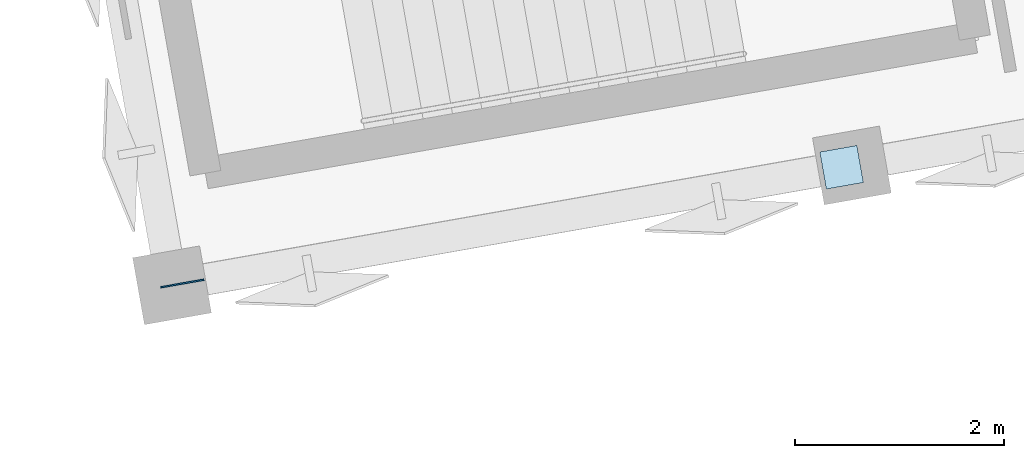
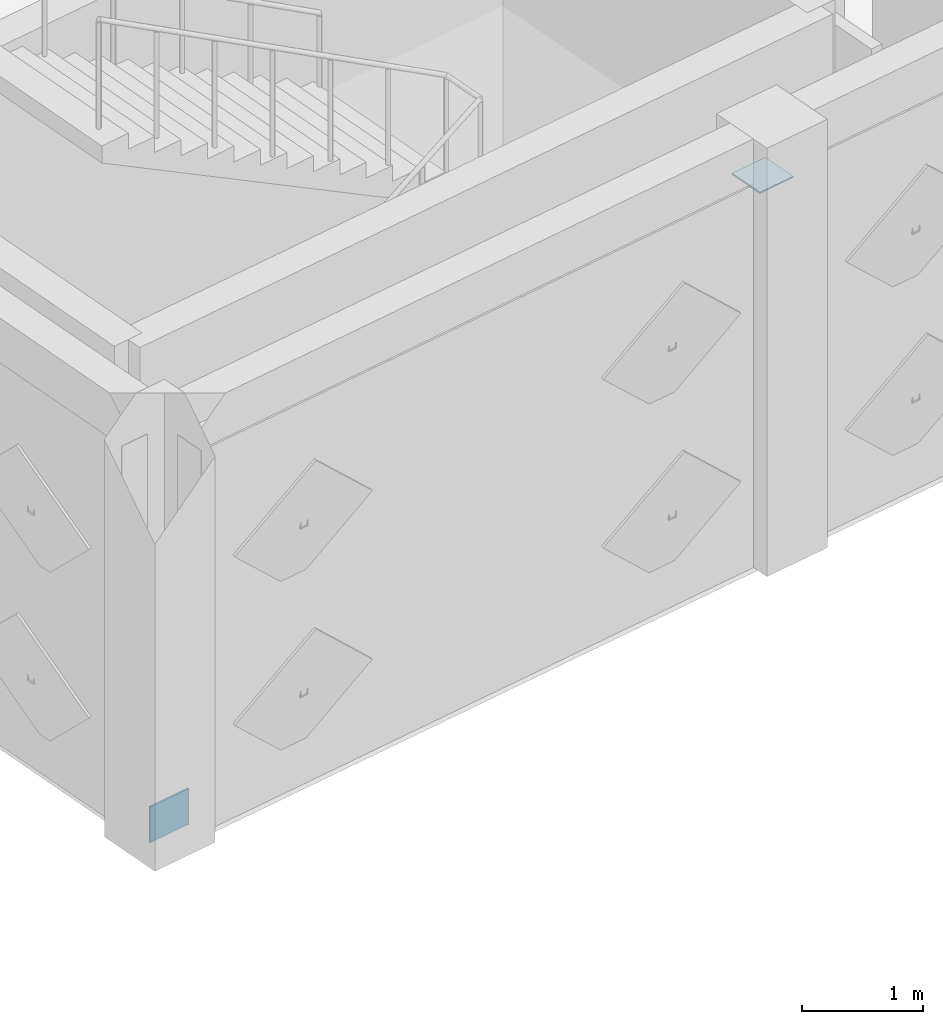
# One storey, part 23 of 39: 2 plates.
"""IFC4 building model written with IfcOpenShell, lengths in metres."""

from ifc_helpers import new_model, si_unit, direction, frame, origin, origin_2d, place, context, subcontext, project, spatial, rectangle, extrude, material, layer, layer_set, type_object, element, save


model = new_model("IFC4")

# Units and contexts
model_context = context("Model", 3, precision=1e-05, world=origin(), true_north=direction((0.0, 1.0)))
body_context = subcontext(model_context, "Body", "Model", "MODEL_VIEW")
ifc_project = project(units=[si_unit("LENGTHUNIT", "METRE"), si_unit("AREAUNIT", "SQUARE_METRE"), si_unit("VOLUMEUNIT", "CUBIC_METRE"), si_unit("PLANEANGLEUNIT", "RADIAN"), si_unit("MASSUNIT", "GRAM", prefix="KILO")], contexts=[model_context])

# Site, building, storey
site_placement = place(None, origin())
site = spatial("IfcSite", under=ifc_project, at=site_placement, CompositionType="ELEMENT")
building_placement = place(site_placement, origin())
building = spatial("IfcBuilding", under=site, at=building_placement, Name="Kharisveld Research Institute", CompositionType="ELEMENT")
storey_placement = place(building_placement, frame((0.0, 0.0, 18.60009765625)))
storey = spatial("IfcBuildingStorey", under=building, at=storey_placement, Name="L04", CompositionType="ELEMENT", Elevation=18.60009765625)

# Plates
ifc_material_1 = material(Name="Steel S355JR", Category="steel")
ifc_layer_1 = layer(ifc_material_1, 0.013916015625)
ifc_layer_set_1 = layer_set([ifc_layer_1], Name="PL_CAP_A")
plate_type_1 = type_object("IfcPlateType", Name="PL_CAP_A", PredefinedType="SHEET", material=ifc_layer_set_1)
plate_1_placement = place(storey_placement, frame((11.601318359375, 36.138671875, 3.76318359375), z_axis=(0.0, 0.0, 1.0), x_axis=(0.984807753012, 0.173648177667, 0.0)))
element("IfcPlate", 1, at=plate_1_placement, inside=storey, type_object=plate_type_1, Name="PLT:V1:L04:CAP_0_0", PredefinedType="SHEET", context=body_context, shape_type="SweptSolid", body=[
    extrude(rectangle(XDim=0.360107421875, YDim=0.360107421875, at=origin_2d()), origin(), (0.0, 0.0, 1.0), 0.013916015625),
])
ifc_material_2 = material(Name="Steel S355JR", Category="steel")
ifc_layer_2 = layer(ifc_material_2, 0.01611328125)
ifc_layer_set_2 = layer_set([ifc_layer_2], Name="PL_GUS_A")
plate_type_2 = type_object("IfcPlateType", Name="PL_GUS_A", PredefinedType="USERDEFINED", material=ifc_layer_set_2)
plate_2_placement = place(storey_placement, frame((5.298583984375, 35.02734375, 0.02001953125), z_axis=(0.0, 0.0, 1.0), x_axis=(0.984807753012, 0.173648177667, 0.0)))
element("IfcPlate", 2, at=plate_2_placement, inside=storey, type_object=plate_type_2, Name="PLT:V1:L04:GUS_0_0", ObjectType="GUSSET PLATE", PredefinedType="USERDEFINED", context=body_context, shape_type="SweptSolid", body=[
    extrude(rectangle(XDim=0.419921875, YDim=0.01611328125, at=origin_2d()), origin(), (0.0, 0.0, 1.0), 0.360107421875),
])

save(model, "model.ifc")
